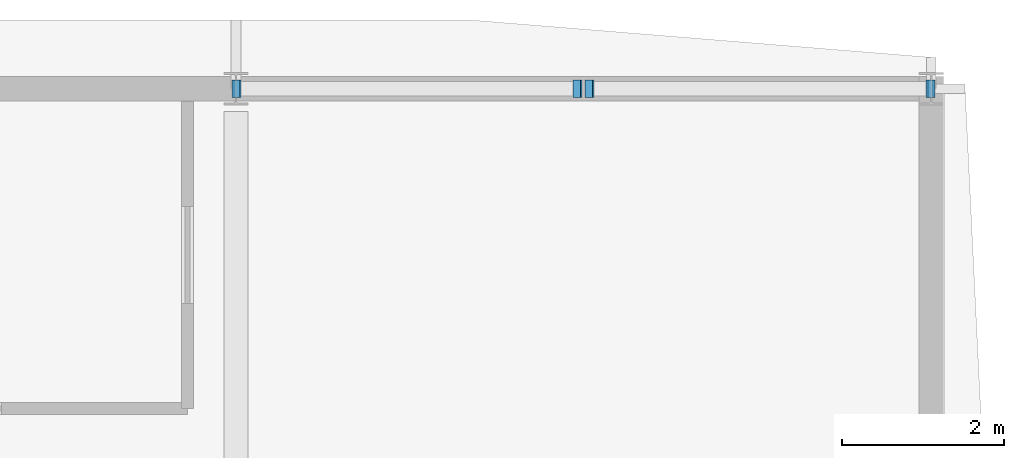
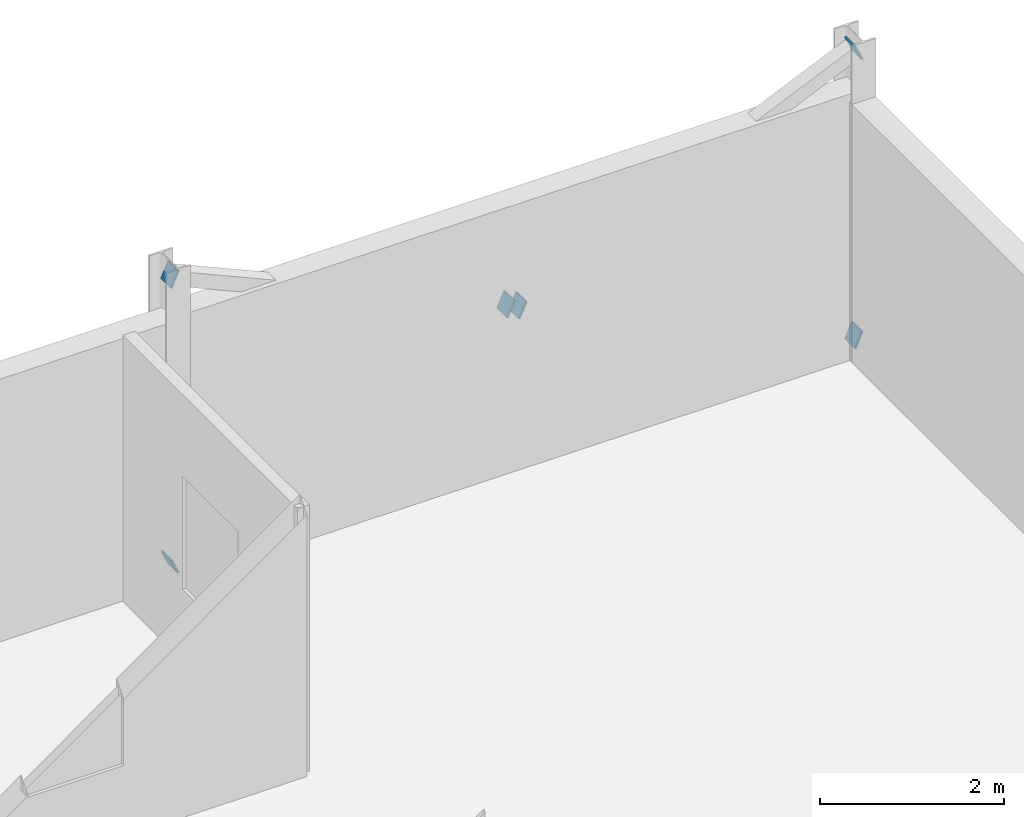
# One storey, part 113 of 138: 6 plates.
"""IFC4 building model written with IfcOpenShell, lengths in metres."""

from ifc_helpers import new_model, si_unit, direction, frame, origin, origin_2d, place, context, subcontext, project, spatial, rectangle, extrude, material, material_profile, profile_set, type_object, element, save


model = new_model("IFC4")

# Units and contexts
model_context = context("Model", 3, precision=1e-05, world=origin(), true_north=direction((0.0, 1.0)))
body_context = subcontext(model_context, "Body", "Model", "MODEL_VIEW")
ifc_project = project(units=[si_unit("LENGTHUNIT", "METRE"), si_unit("AREAUNIT", "SQUARE_METRE"), si_unit("VOLUMEUNIT", "CUBIC_METRE"), si_unit("PLANEANGLEUNIT", "RADIAN"), si_unit("MASSUNIT", "GRAM", prefix="KILO")], contexts=[model_context])

# Site, building, storey
site_placement = place(None, origin())
site = spatial("IfcSite", under=ifc_project, at=site_placement, CompositionType="ELEMENT")
building_placement = place(site_placement, origin())
building = spatial("IfcBuilding", under=site, at=building_placement, Name="Vinh Khe Railworks Police Headquarters", CompositionType="ELEMENT")
storey_placement = place(building_placement, frame((0.0, 0.0, 9.0)))
storey = spatial("IfcBuildingStorey", under=building, at=storey_placement, Name="L02", CompositionType="ELEMENT", Elevation=9.0)

# Plates
ifc_material = material(Name="Steel S355JR", Category="steel")
ifc_material_profile = material_profile(ifc_material, rectangle(XDim=0.219970703125, YDim=0.219970703125, at=origin_2d()), Name="PL 220x220")
ifc_profile_set = profile_set([ifc_material_profile], Name="Steel S355JR")
plate_type = type_object("IfcPlateType", Name="Steel End-Cap Plate 220x220x24", PredefinedType="SHEET", material=ifc_profile_set)
for number, where, z_axis, x_axis, name in (
    (1, (105.02001953125, 166.39990234375, 0.199951171875), (-0.91381154862, 0.0, -0.406138466053), (0.0, -1.0, 0.0), "End-Cap Gusset Plate PLT-EP-0689"),
    (2, (105.02001953125, 166.39990234375, 4.0), (-0.91381154862, 0.0, 0.406138466053), (0.0, -1.0, 0.0), "End-Cap Gusset Plate PLT-EP-0690"),
    (3, (109.214599609375, 166.39990234375, 2.137939453125), (0.912113164786, 0.0, -0.409938501027), (0.0, 1.0, 0.0), "End-Cap Gusset Plate PLT-EP-0703"),
    (4, (109.385498046875, 166.39990234375, 2.06201171875), (-0.91381154862, 0.0, 0.406138466053), (0.0, -1.0, 0.0), "End-Cap Gusset Plate PLT-EP-0710"),
    (5, (113.580078125, 166.39990234375, 0.199951171875), (0.91381154862, 0.0, -0.406138466053), (0.0, 1.0, 0.0), "End-Cap Gusset Plate PLT-EP-0717"),
    (6, (113.580078125, 166.39990234375, 4.0), (0.91381154862, 0.0, 0.406138466053), (0.0, 1.0, 0.0), "End-Cap Gusset Plate PLT-EP-0718"),
):
    element("IfcPlate", number, at=place(storey_placement, frame(where, z_axis=z_axis, x_axis=x_axis)), inside=storey, type_object=plate_type, Name=name, PredefinedType="SHEET", context=body_context, shape_type="SweptSolid", body=[
        extrude(rectangle(XDim=0.219970703125, YDim=0.219970703125, at=origin_2d()), origin(), (0.0, 0.0, 1.0), 0.02392578125),
    ])

save(model, "model.ifc")
